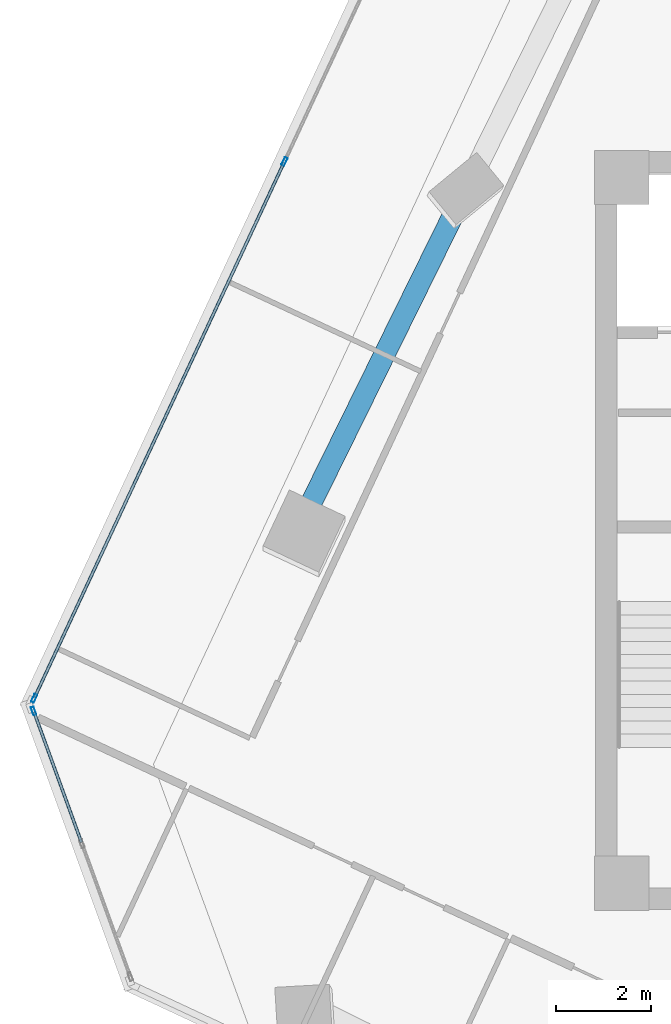
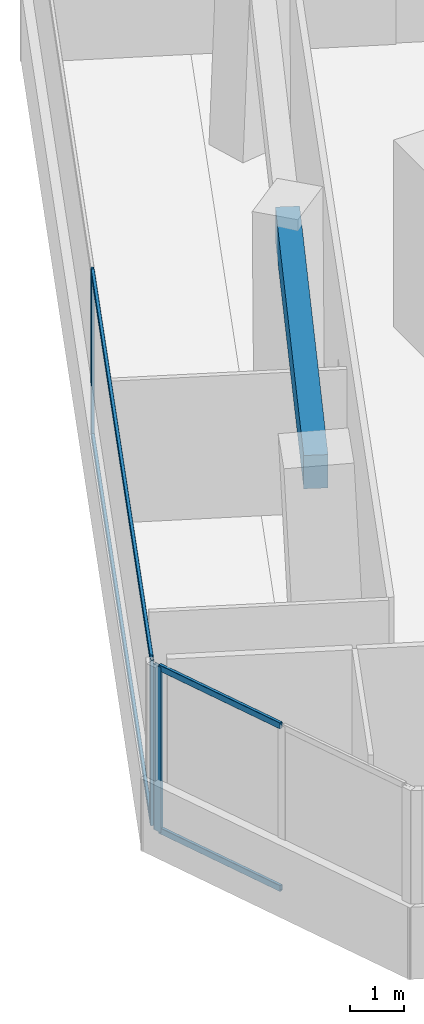
# One storey, part 6 of 23: 7 members, 1 beam, 2 elements without a shape of their own.
"""IFC4 building model written with IfcOpenShell, lengths in metres."""

from ifc_helpers import new_model, si_unit, direction, frame, origin, origin_2d, place, context, subcontext, project, spatial, rectangle, hollow_rectangle, extrude, source, transform, mapped, material, material_profile, profile_set, type_object, element, aggregate, save


model = new_model("IFC4")

# Units and contexts
model_context = context("Model", 3, precision=1e-05, world=origin(), true_north=direction((0.0, 1.0)))
body_context = subcontext(model_context, "Body", "Model", "MODEL_VIEW")
ifc_project = project(units=[si_unit("LENGTHUNIT", "METRE"), si_unit("AREAUNIT", "SQUARE_METRE"), si_unit("VOLUMEUNIT", "CUBIC_METRE"), si_unit("PLANEANGLEUNIT", "RADIAN"), si_unit("MASSUNIT", "GRAM", prefix="KILO")], contexts=[model_context])

# Site, building, storey
site_placement = place(None, origin())
site = spatial("IfcSite", under=ifc_project, at=site_placement, CompositionType="ELEMENT")
building_placement = place(site_placement, origin())
building = spatial("IfcBuilding", under=site, at=building_placement, Name="Torre Montelarca", CompositionType="ELEMENT")
storey_placement = place(building_placement, frame((0.0, 0.0, 158.199951171875)))
storey = spatial("IfcBuildingStorey", under=building, at=storey_placement, Name="L35", CompositionType="ELEMENT", Elevation=158.199951171875)

# Beam
ifc_material_1 = material(Name="Concrete C55/67", Category="concrete")
ifc_material_profile_1 = material_profile(ifc_material_1, rectangle(XDim=0.449951171875, YDim=0.75, at=origin_2d()), Name="RCB450X750", Category="concrete")
ifc_profile_set_1 = profile_set([ifc_material_profile_1], Name="Concrete C55/67")
beam_type = type_object("IfcBeamType", Name="BM-SP-RC750-EXT", PredefinedType="SPANDREL", material=ifc_profile_set_1)
shared_shape_1 = source(origin(), body_context, "Body", "SweptSolid", [
    extrude(rectangle(XDim=0.449951171875, YDim=0.75, at=origin_2d()), origin(), (0.0, 0.0, 1.0), 8.0),
])
beam_placement = place(storey_placement, frame((2.849365234375, 32.277587890625, 3.5849609375), z_axis=(0.44228744012, 0.896873358012, 0.0), x_axis=(-0.896873358012, 0.44228744012, 0.0)))
element("IfcBeam", 1, at=beam_placement, inside=storey, type_object=beam_type, Name="L35 Grid Girder Y 24.0-32.0 at X=4.7", PredefinedType="SPANDREL", context=body_context, shape_type="MappedRepresentation", body=[
    mapped(shared_shape_1, transform((0.0, 0.0, 0.0), scale=1.0)),
])

# Curtain wall, members
ifc_material_2 = material(Name="Insulated low-E laminated glass", Category="glass")
curtain_wall_type = type_object("IfcCurtainWallType", Name="CW-SYS-Z2", PredefinedType="USERDEFINED", material=ifc_material_2)
curtain_wall_1_placement = place(storey_placement, origin())
curtain_wall_1 = element("IfcCurtainWall", 2, at=curtain_wall_1_placement, inside=storey, type_object=curtain_wall_type, Name="L35 Curtain Wall Run CW-T3-L35-E11-B1", ObjectType="UNITISED GLAZING", PredefinedType="USERDEFINED")
ifc_material_3 = material(Name="Anodised aluminium AA 6063-T6", Category="aluminium")
ifc_material_profile_2 = material_profile(ifc_material_3, hollow_rectangle(XDim=0.06494140625, YDim=0.139892578125, WallThickness=0.00390625, InnerFilletRadius=0.00390625, OuterFilletRadius=0.008056640625, at=origin_2d()), Name="ALU65X140X4", Category="aluminium")
ifc_profile_set_2 = profile_set([ifc_material_profile_2], Name="Anodised aluminium AA 6063-T6")
member_type_1 = type_object("IfcMemberType", Name="CWT-ALU140", PredefinedType="USERDEFINED", material=ifc_profile_set_2)
shared_shape_2 = source(origin(), body_context, "Body", "SweptSolid", [
    extrude(hollow_rectangle(XDim=0.06494140625, YDim=0.139892578125, WallThickness=0.00390625, InnerFilletRadius=0.00390625, OuterFilletRadius=0.008056640625, at=origin_2d()), origin(), (0.0, 0.0, 1.0), 2.918701171875),
])
member_1_placement = place(storey_placement, frame((-2.849365234375, 28.159423828125, 0.032470703125), z_axis=(0.342031842172, -0.939688362671, 0.0), x_axis=(0.939688362671, 0.342031842172, 0.0)))
member_1 = element("IfcMember", 3, at=member_1_placement, type_object=member_type_1, Name="CW transom 1.1", ObjectType="TRANSOM", PredefinedType="USERDEFINED", context=body_context, shape_type="MappedRepresentation", body=[
    mapped(shared_shape_2, transform((0.0, 0.0, 0.0), scale=1.0)),
])
member_2_placement = place(storey_placement, frame((-2.849365234375, 28.159423828125, 3.6875), z_axis=(0.342031842172, -0.939688362671, 0.0), x_axis=(0.939688362671, 0.342031842172, 0.0)))
member_2 = element("IfcMember", 4, at=member_2_placement, type_object=member_type_1, Name="CW transom 1.2", ObjectType="TRANSOM", PredefinedType="USERDEFINED", context=body_context, shape_type="MappedRepresentation", body=[
    mapped(shared_shape_2, transform((0.0, 0.0, 0.0), scale=1.0)),
])

curtain_wall_2_placement = place(storey_placement, origin())
curtain_wall_2 = element("IfcCurtainWall", 5, at=curtain_wall_2_placement, inside=storey, type_object=curtain_wall_type, Name="L35 Curtain Wall Run CW-T3-L35-E10-B1", ObjectType="UNITISED GLAZING", PredefinedType="USERDEFINED")
shared_shape_3 = source(origin(), body_context, "Body", "SweptSolid", [
    extrude(hollow_rectangle(XDim=0.06494140625, YDim=0.139892578125, WallThickness=0.00390625, InnerFilletRadius=0.00390625, OuterFilletRadius=0.008056640625, at=origin_2d()), origin(), (0.0, 0.0, 1.0), 12.436767578125),
])
member_3_placement = place(storey_placement, frame((2.4208984375, 39.757568359375, 0.032470703125), z_axis=(-0.422610329059, -0.906311486065, 0.0), x_axis=(0.906311486065, -0.422610329059, 0.0)))
member_3 = element("IfcMember", 6, at=member_3_placement, type_object=member_type_1, Name="CW transom 2.1", ObjectType="TRANSOM", PredefinedType="USERDEFINED", context=body_context, shape_type="MappedRepresentation", body=[
    mapped(shared_shape_3, transform((0.0, 0.0, 0.0), scale=1.0)),
])
member_4_placement = place(storey_placement, frame((2.4208984375, 39.757568359375, 3.6875), z_axis=(-0.422610329059, -0.906311486065, 0.0), x_axis=(0.906311486065, -0.422610329059, 0.0)))
member_4 = element("IfcMember", 7, at=member_4_placement, type_object=member_type_1, Name="CW transom 2.2", ObjectType="TRANSOM", PredefinedType="USERDEFINED", context=body_context, shape_type="MappedRepresentation", body=[
    mapped(shared_shape_3, transform((0.0, 0.0, 0.0), scale=1.0)),
])
ifc_material_profile_3 = material_profile(ifc_material_3, hollow_rectangle(XDim=0.06494140625, YDim=0.179931640625, WallThickness=0.00390625, InnerFilletRadius=0.00390625, OuterFilletRadius=0.008056640625, at=origin_2d()), Name="ALU65X180X4", Category="aluminium")
ifc_profile_set_3 = profile_set([ifc_material_profile_3], Name="Anodised aluminium AA 6063-T6")
member_type_2 = type_object("IfcMemberType", Name="CWM-ALU180", PredefinedType="MULLION", material=ifc_profile_set_3)
shared_shape_4 = source(origin(), body_context, "Body", "SweptSolid", [
    extrude(hollow_rectangle(XDim=0.06494140625, YDim=0.179931640625, WallThickness=0.00390625, InnerFilletRadius=0.00390625, OuterFilletRadius=0.008056640625, at=origin_2d()), origin(), (0.0, 0.0, 1.0), 3.719970703125),
])
member_5_placement = place(storey_placement, frame((2.434814453125, 39.787109375, 0.0), z_axis=(0.0, 0.0, 1.0), x_axis=(0.906309673549, -0.422614216079, 0.0)))
member_5 = element("IfcMember", 8, at=member_5_placement, type_object=member_type_2, Name="CW mullion 2", PredefinedType="MULLION", context=body_context, shape_type="MappedRepresentation", body=[
    mapped(shared_shape_4, transform((0.0, 0.0, 0.0), scale=1.0)),
])
member_6_placement = place(storey_placement, frame((-2.8486328125, 28.45654296875, 0.0), z_axis=(0.0, 0.0, 1.0), x_axis=(0.906309673549, -0.422614216079, 0.0)))
member_6 = element("IfcMember", 9, at=member_6_placement, type_object=member_type_2, Name="CW mullion 3", PredefinedType="MULLION", context=body_context, shape_type="MappedRepresentation", body=[
    mapped(shared_shape_4, transform((0.0, 0.0, 0.0), scale=1.0)),
])
aggregate(curtain_wall_2, [member_5, member_6, member_3, member_4])

# Member
member_7_placement = place(storey_placement, frame((-2.8603515625, 28.18994140625, 0.0), z_axis=(0.0, 0.0, 1.0), x_axis=(0.939694159282, 0.342015916313, 0.0)))
member_7 = element("IfcMember", 10, at=member_7_placement, type_object=member_type_2, Name="CW mullion 1", PredefinedType="MULLION", context=body_context, shape_type="MappedRepresentation", body=[
    mapped(shared_shape_4, transform((0.0, 0.0, 0.0), scale=1.0)),
])

aggregate(curtain_wall_1, [member_7, member_1, member_2])

save(model, "model.ifc")
